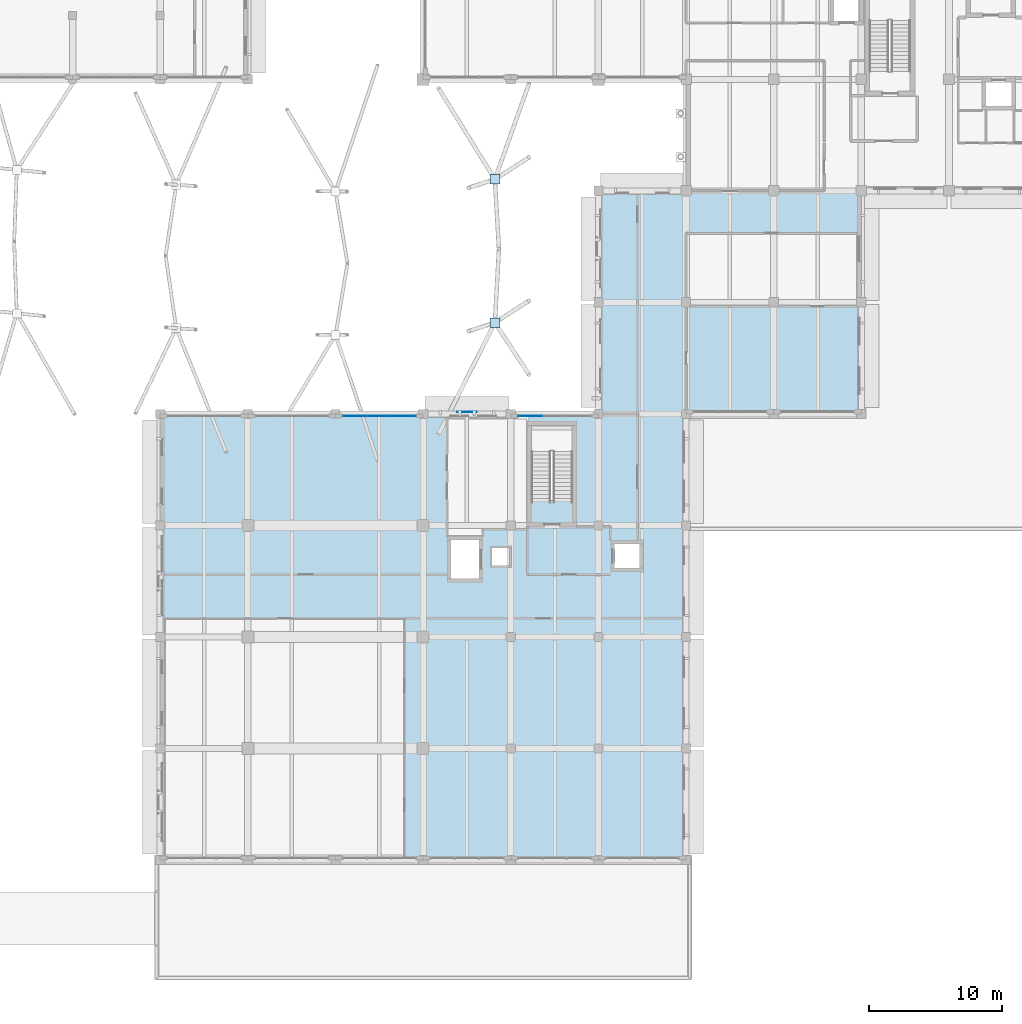
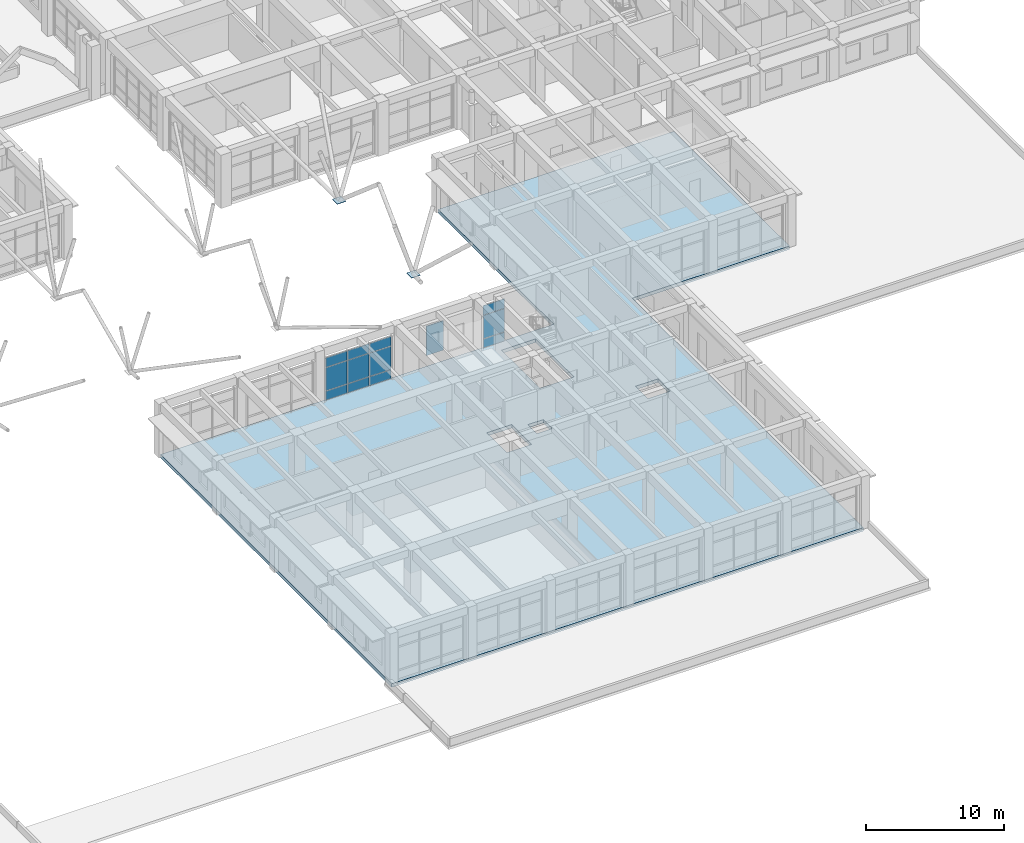
# One storey, part 34 of 75: 15 plates, 1 slab, 2 elements without a shape of their own.
"""IFC4 building model written with IfcOpenShell, lengths in metres."""

from ifc_helpers import new_model, si_unit, direction, frame, origin, origin_2d, place, context, subcontext, project, spatial, polyline, rectangle, outline, extrude, material, layer, layer_set, type_object, element, aggregate, save


model = new_model("IFC4")

# Units and contexts
model_context = context("Model", 3, precision=1e-05, world=origin(), true_north=direction((0.0, 1.0)))
body_context = subcontext(model_context, "Body", "Model", "MODEL_VIEW")
ifc_project = project(units=[si_unit("LENGTHUNIT", "METRE"), si_unit("AREAUNIT", "SQUARE_METRE"), si_unit("VOLUMEUNIT", "CUBIC_METRE"), si_unit("PLANEANGLEUNIT", "RADIAN"), si_unit("MASSUNIT", "GRAM", prefix="KILO")], contexts=[model_context])

# Site, building, storey
site_placement = place(None, origin())
site = spatial("IfcSite", under=ifc_project, at=site_placement, CompositionType="ELEMENT")
building_placement = place(site_placement, origin())
building = spatial("IfcBuilding", under=site, at=building_placement, Name="Kolvaren Faculty of Natural Sciences", CompositionType="ELEMENT")
storey_placement = place(building_placement, frame((0.0, 0.0, 5.39990234375)))
storey = spatial("IfcBuildingStorey", under=building, at=storey_placement, Name="L01", CompositionType="ELEMENT", Elevation=5.39990234375)

# Curtain wall, plates
ifc_material_1 = material(Name="Thermally broken anodised aluminium framing", Category="aluminium")
ifc_layer_1 = layer(ifc_material_1, 0.179931640625)
ifc_layer_set_1 = layer_set([ifc_layer_1], Name="Thermally broken anodised aluminium framing")
curtain_wall_type = type_object("IfcCurtainWallType", Name="CommonsCurtainWall_CW02", PredefinedType="NOTDEFINED", material=ifc_layer_set_1)
curtain_wall_1_placement = place(storey_placement, origin())
curtain_wall_1 = element("IfcCurtainWall", 1, at=curtain_wall_1_placement, inside=storey, type_object=curtain_wall_type, Name="L01 unitised curtain wall CW-02 (CW-L01-050)", PredefinedType="NOTDEFINED")
ifc_material_2 = material(Name="Double low-E solar control insulated glazing", Category="glass")
ifc_layer_2 = layer(ifc_material_2, 0.035888671875)
ifc_layer_set_2 = layer_set([ifc_layer_2], Name="Double low-E solar control insulated glazing")
plate_type_1 = type_object("IfcPlateType", Name="EnvelopePlate_CWPGL1", PredefinedType="CURTAIN_PANEL", material=ifc_layer_set_2)
plate_1_placement = place(storey_placement, frame((113.86669921875, 42.0400390625, 0.920166015625), z_axis=(0.0, 0.0, 1.0), x_axis=(1.0, 0.0, 0.0)))
plate_1 = element("IfcPlate", 2, at=plate_1_placement, type_object=plate_type_1, Name="CW-L01-050 panel 1 V1", PredefinedType="CURTAIN_PANEL", context=body_context, shape_type="SweptSolid", body=[
    extrude(rectangle(XDim=1.783203125, YDim=0.035888671875, at=origin_2d()), origin(), (0.0, 0.0, 1.0), 2.044921875),
])
plate_2_placement = place(storey_placement, frame((115.699951171875, 42.0400390625, 0.920166015625), z_axis=(0.0, 0.0, 1.0), x_axis=(1.0, 0.0, 0.0)))
plate_2 = element("IfcPlate", 3, at=plate_2_placement, type_object=plate_type_1, Name="CW-L01-050 panel 2 V1", PredefinedType="CURTAIN_PANEL", context=body_context, shape_type="SweptSolid", body=[
    extrude(rectangle(XDim=1.783203125, YDim=0.035888671875, at=origin_2d()), origin(), (0.0, 0.0, 1.0), 2.044921875),
])
plate_3_placement = place(storey_placement, frame((117.533203125, 42.0400390625, 0.920166015625), z_axis=(0.0, 0.0, 1.0), x_axis=(1.0, 0.0, 0.0)))
plate_3 = element("IfcPlate", 4, at=plate_3_placement, type_object=plate_type_1, Name="CW-L01-050 panel 3 V1", PredefinedType="CURTAIN_PANEL", context=body_context, shape_type="SweptSolid", body=[
    extrude(rectangle(XDim=1.783203125, YDim=0.035888671875, at=origin_2d()), origin(), (0.0, 0.0, 1.0), 2.044921875),
])

# Curtain wall, plate
curtain_wall_2_placement = place(storey_placement, origin())
curtain_wall_2 = element("IfcCurtainWall", 5, at=curtain_wall_2_placement, inside=storey, type_object=curtain_wall_type, Name="L01 unitised curtain wall CW-02 (CW-L01-051)", PredefinedType="NOTDEFINED")
plate_4_placement = place(storey_placement, frame((127.066650390625, 42.0400390625, 0.920166015625), z_axis=(0.0, 0.0, 1.0), x_axis=(1.0, 0.0, 0.0)))
plate_4 = element("IfcPlate", 6, at=plate_4_placement, type_object=plate_type_1, Name="CW-L01-051 panel 1 V1", PredefinedType="CURTAIN_PANEL", context=body_context, shape_type="SweptSolid", body=[
    extrude(rectangle(XDim=1.783203125, YDim=0.035888671875, at=origin_2d()), origin(), (0.0, 0.0, 1.0), 2.044921875),
])

# Plate
ifc_layer_3 = layer(ifc_material_2, 0.035888671875)
ifc_layer_set_3 = layer_set([ifc_layer_3], Name="Double low-E solar control insulated glazing")
plate_type_2 = type_object("IfcPlateType", Name="EnvelopePlate_CWPGL2", PredefinedType="CURTAIN_PANEL", material=ifc_layer_set_3)
plate_5_placement = place(storey_placement, frame((113.86669921875, 42.0400390625, 3.005126953125), z_axis=(0.0, 0.0, 1.0), x_axis=(1.0, 0.0, 0.0)))
plate_5 = element("IfcPlate", 7, at=plate_5_placement, type_object=plate_type_2, Name="CW-L01-050 panel 1 V2", PredefinedType="CURTAIN_PANEL", context=body_context, shape_type="SweptSolid", body=[
    extrude(rectangle(XDim=1.783203125, YDim=0.035888671875, at=origin_2d()), origin(), (0.0, 0.0, 1.0), 0.830078125),
])

plate_6_placement = place(storey_placement, frame((115.699951171875, 42.0400390625, 3.005126953125), z_axis=(0.0, 0.0, 1.0), x_axis=(1.0, 0.0, 0.0)))
plate_6 = element("IfcPlate", 8, at=plate_6_placement, type_object=plate_type_2, Name="CW-L01-050 panel 2 V2", PredefinedType="CURTAIN_PANEL", context=body_context, shape_type="SweptSolid", body=[
    extrude(rectangle(XDim=1.783203125, YDim=0.035888671875, at=origin_2d()), origin(), (0.0, 0.0, 1.0), 0.830078125),
])

plate_7_placement = place(storey_placement, frame((117.533203125, 42.0400390625, 3.005126953125), z_axis=(0.0, 0.0, 1.0), x_axis=(1.0, 0.0, 0.0)))
plate_7 = element("IfcPlate", 9, at=plate_7_placement, type_object=plate_type_2, Name="CW-L01-050 panel 3 V2", PredefinedType="CURTAIN_PANEL", context=body_context, shape_type="SweptSolid", body=[
    extrude(rectangle(XDim=1.783203125, YDim=0.035888671875, at=origin_2d()), origin(), (0.0, 0.0, 1.0), 0.830078125),
])

plate_8_placement = place(storey_placement, frame((127.066650390625, 42.0400390625, 3.005126953125), z_axis=(0.0, 0.0, 1.0), x_axis=(1.0, 0.0, 0.0)))
plate_8 = element("IfcPlate", 10, at=plate_8_placement, type_object=plate_type_2, Name="CW-L01-051 panel 1 V2", PredefinedType="CURTAIN_PANEL", context=body_context, shape_type="SweptSolid", body=[
    extrude(rectangle(XDim=1.783203125, YDim=0.035888671875, at=origin_2d()), origin(), (0.0, 0.0, 1.0), 0.830078125),
])

ifc_material_3 = material(Name="Insulated anodised aluminium spandrel panel", Category="aluminium")
ifc_layer_4 = layer(ifc_material_3, 0.050048828125)
ifc_layer_set_4 = layer_set([ifc_layer_4], Name="Insulated anodised aluminium spandrel panel")
plate_type_3 = type_object("IfcPlateType", Name="EnvelopePlate_CWPSP1", PredefinedType="SHEET", material=ifc_layer_set_4)
plate_9_placement = place(storey_placement, frame((113.86669921875, 42.0400390625, 0.10009765625), z_axis=(0.0, 0.0, 1.0), x_axis=(1.0, 0.0, 0.0)))
plate_9 = element("IfcPlate", 11, at=plate_9_placement, type_object=plate_type_3, Name="CW-L01-050 panel 1 SP", PredefinedType="SHEET", context=body_context, shape_type="SweptSolid", body=[
    extrude(rectangle(XDim=1.783203125, YDim=0.050048828125, at=origin_2d()), origin(), (0.0, 0.0, 1.0), 0.780029296875),
])

plate_10_placement = place(storey_placement, frame((115.699951171875, 42.0400390625, 0.10009765625), z_axis=(0.0, 0.0, 1.0), x_axis=(1.0, 0.0, 0.0)))
plate_10 = element("IfcPlate", 12, at=plate_10_placement, type_object=plate_type_3, Name="CW-L01-050 panel 2 SP", PredefinedType="SHEET", context=body_context, shape_type="SweptSolid", body=[
    extrude(rectangle(XDim=1.783203125, YDim=0.050048828125, at=origin_2d()), origin(), (0.0, 0.0, 1.0), 0.780029296875),
])

plate_11_placement = place(storey_placement, frame((117.533203125, 42.0400390625, 0.10009765625), z_axis=(0.0, 0.0, 1.0), x_axis=(1.0, 0.0, 0.0)))
plate_11 = element("IfcPlate", 13, at=plate_11_placement, type_object=plate_type_3, Name="CW-L01-050 panel 3 SP", PredefinedType="SHEET", context=body_context, shape_type="SweptSolid", body=[
    extrude(rectangle(XDim=1.783203125, YDim=0.050048828125, at=origin_2d()), origin(), (0.0, 0.0, 1.0), 0.780029296875),
])

aggregate(curtain_wall_1, [plate_9, plate_1, plate_5, plate_10, plate_2, plate_6, plate_11, plate_3, plate_7])

plate_12_placement = place(storey_placement, frame((127.066650390625, 42.0400390625, 0.10009765625), z_axis=(0.0, 0.0, 1.0), x_axis=(1.0, 0.0, 0.0)))
plate_12 = element("IfcPlate", 14, at=plate_12_placement, type_object=plate_type_3, Name="CW-L01-051 panel 1 SP", PredefinedType="SHEET", context=body_context, shape_type="SweptSolid", body=[
    extrude(rectangle(XDim=1.783203125, YDim=0.050048828125, at=origin_2d()), origin(), (0.0, 0.0, 1.0), 0.780029296875),
])

aggregate(curtain_wall_2, [plate_12, plate_4, plate_8])

ifc_material_4 = material(Name="Extruded architectural terracotta screen", Category="masonry")
ifc_layer_5 = layer(ifc_material_4, 0.06494140625)
ifc_layer_set_5 = layer_set([ifc_layer_5], Name="Extruded architectural terracotta screen")
plate_type_4 = type_object("IfcPlateType", Name="EnvelopePlate_JL01", PredefinedType="USERDEFINED", material=ifc_layer_set_5)
plate_13_placement = place(storey_placement, frame((122.300048828125, 42.340087890625, 0.85009765625), z_axis=(0.0, 0.0, 1.0), x_axis=(1.0, 0.0, 0.0)))
element("IfcPlate", 15, at=plate_13_placement, inside=storey, type_object=plate_type_4, Name="L01 perforated terracotta jali sun screen JL-01", ObjectType="SCREEN", PredefinedType="USERDEFINED", context=body_context, shape_type="SweptSolid", body=[
    extrude(rectangle(XDim=1.449951171875, YDim=0.06494140625, at=origin_2d()), origin(), (0.0, 0.0, 1.0), 2.60009765625),
])

# Slab
ifc_material_5 = material(Name="Concrete C35/45", Category="concrete")
ifc_layer_6 = layer(ifc_material_5, 0.300048828125)
ifc_layer_set_6 = layer_set([ifc_layer_6], Name="Concrete C35/45")
slab_type = type_object("IfcSlabType", Name="LabFloorSlab_300", PredefinedType="FLOOR", material=ifc_layer_set_6)
slab_placement = place(storey_placement, frame((0.0, 0.0, -0.2998046875)))
element("IfcSlab", 16, at=slab_placement, inside=storey, type_object=slab_type, Name="L01 V5 structural slab 1", PredefinedType="FLOOR", context=body_context, shape_type="SweptSolid", body=[
    extrude(outline(polyline([(99.199951171875, 8.60009765625), (99.199951171875, 42.199951171875), (132.199951171875, 42.199951171875), (132.199951171875, 59.0), (152.0, 59.0), (152.0, 42.199951171875), (138.800048828125, 42.199951171875), (138.800048828125, 8.60009765625), (99.199951171875, 8.60009765625)]), holes=[polyline([(135.300048828125, 32.39990234375), (133.39990234375, 32.39990234375), (133.39990234375, 30.60009765625), (135.300048828125, 30.60009765625), (135.300048828125, 32.39990234375)]), polyline([(130.1298828125, 35.669921875), (130.1298828125, 41.22998046875), (127.27001953125, 41.22998046875), (127.27001953125, 35.669921875), (130.1298828125, 35.669921875)]), polyline([(125.5, 32.10009765625), (124.199951171875, 32.10009765625), (124.199951171875, 30.800048828125), (125.5, 30.800048828125), (125.5, 32.10009765625)]), polyline([(123.199951171875, 32.699951171875), (121.10009765625, 32.699951171875), (121.10009765625, 29.800048828125), (123.199951171875, 29.800048828125), (123.199951171875, 32.699951171875)])]), origin(), (0.0, 0.0, 1.0), 0.2998046875),
])

# Plates
ifc_material_6 = material(Name="Structural steel EN 10025-2 S355J2 (white architectural finish)", Category="steel")
ifc_layer_7 = layer(ifc_material_6, 0.030029296875)
ifc_layer_set_7 = layer_set([ifc_layer_7], Name="Structural steel EN 10025-2 S355J2 (white architectural finish)")
plate_type_5 = type_object("IfcPlateType", Name="PortalTreeNodePlate_TN2", PredefinedType="USERDEFINED", material=ifc_layer_set_7)
for number, where, z_axis, x_axis, name in (
    (17, (124.39990234375, 49.069580078125, 2.98486328125), (0.0, 0.0, 1.0), (1.0, 0.0, 0.0), "Steel tree TREE-13 branching gusset node TN2"),
    (18, (124.39990234375, 59.86962890625, 2.98486328125), (0.0, 0.0, 1.0), (1.0, 0.0, 0.0), "Steel tree TREE-14 branching gusset node TN2"),
):
    element("IfcPlate", number, at=place(storey_placement, frame(where, z_axis=z_axis, x_axis=x_axis)), inside=storey, type_object=plate_type_5, Name=name, ObjectType="GUSSET PLATE", PredefinedType="USERDEFINED", context=body_context, shape_type="SweptSolid", body=[
        extrude(rectangle(XDim=0.739990234375, YDim=0.739990234375, at=origin_2d()), origin(), (0.0, 0.0, 1.0), 0.030029296875),
    ])

save(model, "model.ifc")
